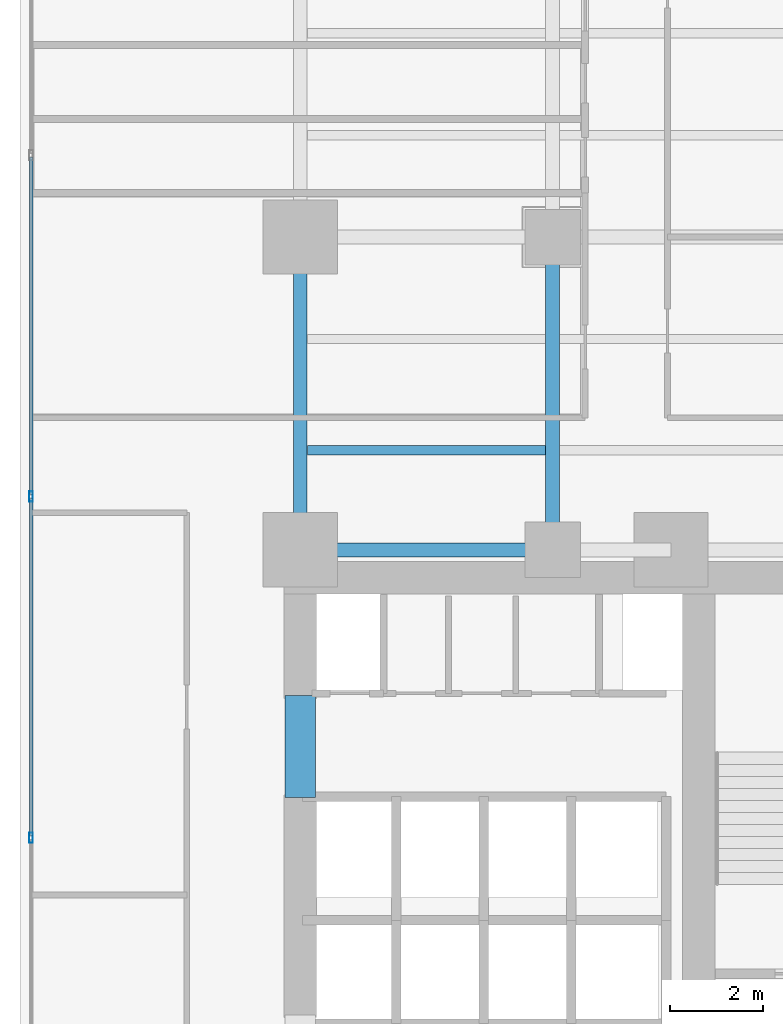
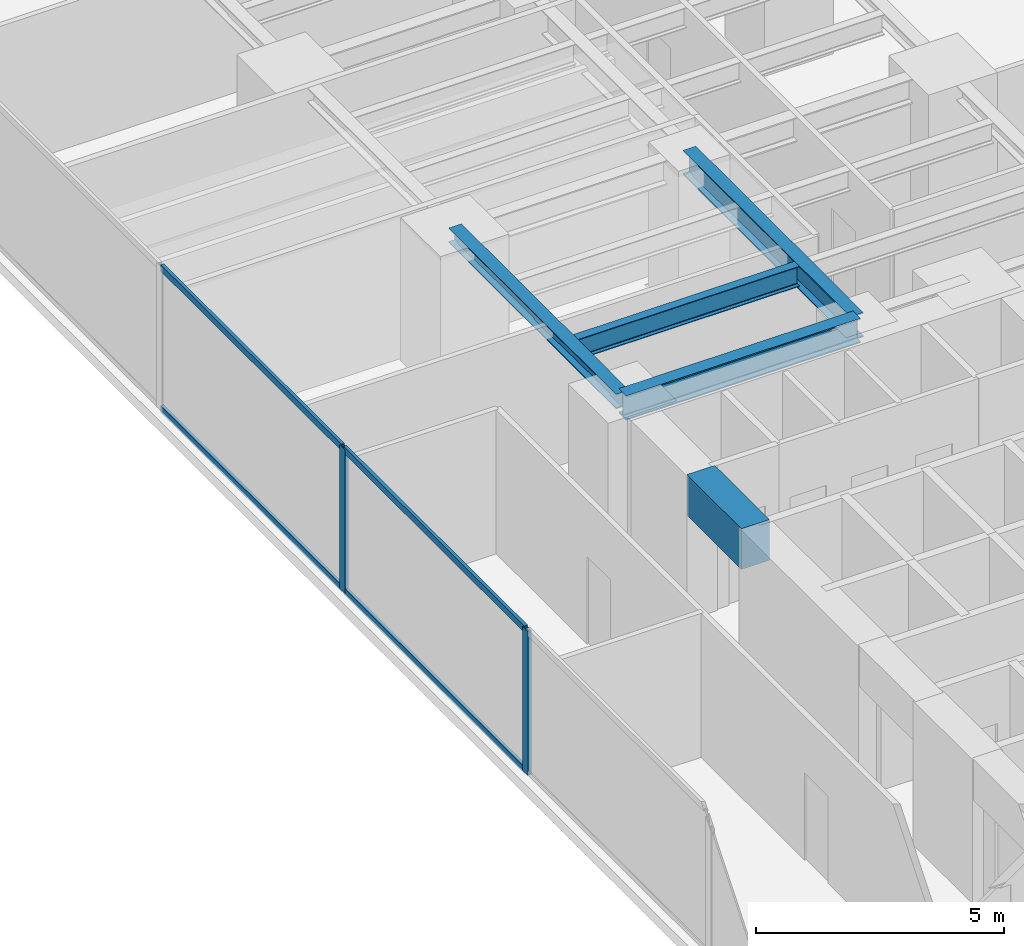
# One storey, part 6 of 26: 6 members, 5 beams, 1 element without a shape of its own.
"""IFC4 building model written with IfcOpenShell, lengths in metres."""

from ifc_helpers import new_model, si_unit, direction, frame, origin, origin_with_axes, origin_2d, place, context, subcontext, project, spatial, rectangle, hollow_rectangle, i_section, extrude, source, transform, mapped, material, layer, layer_set, material_profile, profile_set, type_object, element, aggregate, save


model = new_model("IFC4")

# Units and contexts
model_context = context("Model", 3, precision=1e-05, world=origin(), true_north=direction((0.0, 1.0)))
body_context = subcontext(model_context, "Body", "Model", "MODEL_VIEW")
ifc_project = project(units=[si_unit("LENGTHUNIT", "METRE"), si_unit("AREAUNIT", "SQUARE_METRE"), si_unit("VOLUMEUNIT", "CUBIC_METRE"), si_unit("PLANEANGLEUNIT", "RADIAN"), si_unit("MASSUNIT", "GRAM", prefix="KILO")], contexts=[model_context])

# Site, building, storey
site_placement = place(None, origin())
site = spatial("IfcSite", under=ifc_project, at=site_placement, CompositionType="ELEMENT")
building_placement = place(site_placement, origin())
building = spatial("IfcBuilding", under=site, at=building_placement, Name="Kolvaren Waterfront Exchange", CompositionType="ELEMENT")
storey_placement = place(building_placement, frame((0.0, 0.0, 44.800048828125)))
storey = spatial("IfcBuildingStorey", under=building, at=storey_placement, Name="L11", CompositionType="ELEMENT", Elevation=44.800048828125)

# Beams
ifc_material_1 = material(Name="Steel S355", Category="steel")
ifc_material_profile_1 = material_profile(ifc_material_1, i_section(OverallWidth=0.300048828125, OverallDepth=0.360107421875, WebThickness=0.012451171875, FlangeThickness=0.0224609375, FilletRadius=0.027099609375, at=origin_2d()), Name="HEB360")
ifc_profile_set_1 = profile_set([ifc_material_profile_1], Name="Steel S355")
beam_type_1 = type_object("IfcBeamType", Name="STR-BM-HEB360", PredefinedType="SPANDREL", material=ifc_profile_set_1)
beam_1_placement = place(storey_placement, frame((7.449951171875, 24.449951171875, 3.35986328125), z_axis=(0.0, 1.0, 0.0), x_axis=(-1.0, 0.0, 0.0)))
element("IfcBeam", 1, at=beam_1_placement, inside=storey, type_object=beam_type_1, Name="L11 north-arm edge beam 1", PredefinedType="SPANDREL", context=body_context, shape_type="SweptSolid", body=[
    extrude(i_section(OverallWidth=0.300048828125, OverallDepth=0.360107421875, WebThickness=0.012451171875, FlangeThickness=0.0224609375, FilletRadius=0.027099609375, at=origin_2d()), origin(), (0.0, 0.0, 1.0), 6.75),
])
ifc_material_profile_2 = material_profile(ifc_material_1, i_section(OverallWidth=0.300048828125, OverallDepth=0.60009765625, WebThickness=0.015380859375, FlangeThickness=0.030029296875, FilletRadius=0.027099609375, at=origin_2d()), Name="HEB600")
ifc_profile_set_2 = profile_set([ifc_material_profile_2], Name="Steel S355")
beam_type_2 = type_object("IfcBeamType", Name="STR-BM-HEB600", PredefinedType="BEAM", material=ifc_profile_set_2)
beam_2_placement = place(storey_placement, frame((7.449951171875, 24.449951171875, 3.239990234375), z_axis=(1.0, 0.0, 0.0), x_axis=(0.0, 1.0, 0.0)))
element("IfcBeam", 2, at=beam_2_placement, inside=storey, type_object=beam_type_2, Name="L11 north-arm girder 1A", PredefinedType="BEAM", context=body_context, shape_type="SweptSolid", body=[
    extrude(i_section(OverallWidth=0.300048828125, OverallDepth=0.60009765625, WebThickness=0.015380859375, FlangeThickness=0.030029296875, FilletRadius=0.027099609375, at=origin_2d()), origin(), (0.0, 0.0, 1.0), 5.449951171875),
])
beam_3_placement = place(storey_placement, frame((12.89990234375, 24.449951171875, 3.239990234375), z_axis=(0.0, 1.0, 0.0), x_axis=(-1.0, 0.0, 0.0)))
element("IfcBeam", 3, at=beam_3_placement, inside=storey, type_object=beam_type_2, Name="L11 north-arm edge beam 1", PredefinedType="BEAM", context=body_context, shape_type="SweptSolid", body=[
    extrude(i_section(OverallWidth=0.300048828125, OverallDepth=0.60009765625, WebThickness=0.015380859375, FlangeThickness=0.030029296875, FilletRadius=0.027099609375, at=origin_2d()), origin(), (0.0, 0.0, 1.0), 6.75),
])
ifc_material_profile_3 = material_profile(ifc_material_1, i_section(OverallWidth=0.199951171875, OverallDepth=0.5, WebThickness=0.01025390625, FlangeThickness=0.01611328125, FilletRadius=0.02099609375, at=origin_2d()), Name="IPE500")
ifc_profile_set_3 = profile_set([ifc_material_profile_3], Name="Steel S355")
beam_type_3 = type_object("IfcBeamType", Name="STR-BM-IPE500", PredefinedType="JOIST", material=ifc_profile_set_3)
beam_4_placement = place(storey_placement, frame((7.60205078125, 26.60009765625, 3.2900390625), z_axis=(1.0, 0.0, 0.0), x_axis=(0.0, 1.0, 0.0)))
element("IfcBeam", 4, at=beam_4_placement, inside=storey, type_object=beam_type_3, Name="L11 north-arm composite joist 1A", PredefinedType="JOIST", context=body_context, shape_type="SweptSolid", body=[
    extrude(i_section(OverallWidth=0.199951171875, OverallDepth=0.5, WebThickness=0.01025390625, FlangeThickness=0.01611328125, FilletRadius=0.02099609375, at=origin_2d()), origin(), (0.0, 0.0, 1.0), 5.14599609375),
])
ifc_material_2 = material(Name="Concrete C60/75", Category="concrete")
ifc_material_profile_4 = material_profile(ifc_material_2, rectangle(XDim=0.64990234375, YDim=1.0, at=origin_2d()), Name="RC-CB-1000x650")
ifc_profile_set_4 = profile_set([ifc_material_profile_4], Name="Concrete C60/75")
beam_type_4 = type_object("IfcBeamType", Name="STR-CB-1000", PredefinedType="SPANDREL", material=ifc_profile_set_4)
beam_5_placement = place(storey_placement, frame((7.449951171875, 19.10009765625, 3.0400390625), z_axis=(0.0, 1.0, 0.0), x_axis=(-1.0, 0.0, 0.0)))
element("IfcBeam", 5, at=beam_5_placement, inside=storey, type_object=beam_type_4, Name="L11 core coupling beam 5", PredefinedType="SPANDREL", context=body_context, shape_type="SweptSolid", body=[
    extrude(rectangle(XDim=0.64990234375, YDim=1.0, at=origin_2d()), origin(), (0.0, 0.0, 1.0), 2.199951171875),
])

# Curtain wall, members
ifc_material_3 = material(Name="Anodised aluminium 6063-T6", Category="aluminium")
ifc_layer = layer(ifc_material_3, 0.219970703125, Name="Anodised aluminium 6063-T6")
ifc_layer_set = layer_set([ifc_layer], Name="Anodised aluminium 6063-T6")
curtain_wall_type = type_object("IfcCurtainWallType", Name="ARC-CW-SYS2", PredefinedType="USERDEFINED", material=ifc_layer_set)
curtain_wall_placement = place(storey_placement, origin())
curtain_wall = element("IfcCurtainWall", 6, at=curtain_wall_placement, inside=storey, type_object=curtain_wall_type, Name="L11 stick curtain wall CW2 (CW-L11-W)", ObjectType="STICK CURTAIN WALL", PredefinedType="USERDEFINED")
ifc_material_profile_5 = material_profile(ifc_material_3, hollow_rectangle(XDim=0.074951171875, YDim=0.159912109375, WallThickness=0.00439453125, at=origin_2d()), Name="ALU-TRN-160x75x4.5")
ifc_profile_set_5 = profile_set([ifc_material_profile_5], Name="Anodised aluminium 6063-T6")
member_type_1 = type_object("IfcMemberType", Name="ARC-CWT-160", PredefinedType="USERDEFINED", material=ifc_profile_set_5)
shared_shape_1 = source(origin_with_axes(), body_context, "Body", "SweptSolid", [
    extrude(hollow_rectangle(XDim=0.074951171875, YDim=0.159912109375, WallThickness=0.00439453125, at=origin_2d()), origin(), (0.0, 0.0, 1.0), 7.28662109375),
])
member_1_placement = place(storey_placement, frame((1.639892578125, 18.2734375, 0.037353515625), z_axis=(0.0, 1.0, 0.0), x_axis=(-1.0, 0.0, 0.0)))
member_1 = element("IfcMember", 7, at=member_1_placement, type_object=member_type_1, Name="CW2 transom 3.1", ObjectType="TRANSOM", PredefinedType="USERDEFINED", context=body_context, shape_type="MappedRepresentation", body=[
    mapped(shared_shape_1, transform((0.0, 0.0, 0.0), x_axis=(1.0, 0.0, 0.0), y_axis=(0.0, 1.0, 0.0), z_axis=(0.0, 0.0, 1.0), scale=1.0)),
])
member_2_placement = place(storey_placement, frame((1.639892578125, 18.2734375, 3.50244140625), z_axis=(0.0, 1.0, 0.0), x_axis=(-1.0, 0.0, 0.0)))
member_2 = element("IfcMember", 8, at=member_2_placement, type_object=member_type_1, Name="CW2 transom 3.2", ObjectType="TRANSOM", PredefinedType="USERDEFINED", context=body_context, shape_type="MappedRepresentation", body=[
    mapped(shared_shape_1, transform((0.0, 0.0, 0.0), x_axis=(1.0, 0.0, 0.0), y_axis=(0.0, 1.0, 0.0), z_axis=(0.0, 0.0, 1.0), scale=1.0)),
])
shared_shape_2 = source(origin_with_axes(), body_context, "Body", "SweptSolid", [
    extrude(hollow_rectangle(XDim=0.074951171875, YDim=0.159912109375, WallThickness=0.00439453125, at=origin_2d()), origin(), (0.0, 0.0, 1.0), 7.286865234375),
])
member_3_placement = place(storey_placement, frame((1.639892578125, 25.639892578125, 0.037353515625), z_axis=(0.0, 1.0, 0.0), x_axis=(-1.0, 0.0, 0.0)))
member_3 = element("IfcMember", 9, at=member_3_placement, type_object=member_type_1, Name="CW2 transom 4.1", ObjectType="TRANSOM", PredefinedType="USERDEFINED", context=body_context, shape_type="MappedRepresentation", body=[
    mapped(shared_shape_2, transform((0.0, 0.0, 0.0), x_axis=(1.0, 0.0, 0.0), y_axis=(0.0, 1.0, 0.0), z_axis=(0.0, 0.0, 1.0), scale=1.0)),
])
member_4_placement = place(storey_placement, frame((1.639892578125, 25.639892578125, 3.50244140625), z_axis=(0.0, 1.0, 0.0), x_axis=(-1.0, 0.0, 0.0)))
member_4 = element("IfcMember", 10, at=member_4_placement, type_object=member_type_1, Name="CW2 transom 4.2", ObjectType="TRANSOM", PredefinedType="USERDEFINED", context=body_context, shape_type="MappedRepresentation", body=[
    mapped(shared_shape_2, transform((0.0, 0.0, 0.0), x_axis=(1.0, 0.0, 0.0), y_axis=(0.0, 1.0, 0.0), z_axis=(0.0, 0.0, 1.0), scale=1.0)),
])
ifc_material_profile_6 = material_profile(ifc_material_3, hollow_rectangle(XDim=0.080078125, YDim=0.219970703125, WallThickness=0.0048828125, at=origin_2d()), Name="ALU-MUL-220x80x5")
ifc_profile_set_6 = profile_set([ifc_material_profile_6], Name="Anodised aluminium 6063-T6")
member_type_2 = type_object("IfcMemberType", Name="ARC-CWM-220", PredefinedType="MULLION", material=ifc_profile_set_6)
shared_shape_3 = source(origin_with_axes(), body_context, "Body", "SweptSolid", [
    extrude(hollow_rectangle(XDim=0.080078125, YDim=0.219970703125, WallThickness=0.0048828125, at=origin_2d()), origin(), (0.0, 0.0, 1.0), 3.5400390625),
])
member_5_placement = place(storey_placement, frame((1.639892578125, 18.2333984375, 0.0), z_axis=(0.0, 0.0, 1.0), x_axis=(-1.0, 0.0, 0.0)))
member_5 = element("IfcMember", 11, at=member_5_placement, type_object=member_type_2, Name="CW2 mullion 3", PredefinedType="MULLION", context=body_context, shape_type="MappedRepresentation", body=[
    mapped(shared_shape_3, transform((0.0, 0.0, 0.0), x_axis=(1.0, 0.0, 0.0), y_axis=(0.0, 1.0, 0.0), z_axis=(0.0, 0.0, 1.0), scale=1.0)),
])
member_6_placement = place(storey_placement, frame((1.639892578125, 25.60009765625, 0.0), z_axis=(0.0, 0.0, 1.0), x_axis=(-1.0, 0.0, 0.0)))
member_6 = element("IfcMember", 12, at=member_6_placement, type_object=member_type_2, Name="CW2 mullion 4", PredefinedType="MULLION", context=body_context, shape_type="MappedRepresentation", body=[
    mapped(shared_shape_3, transform((0.0, 0.0, 0.0), x_axis=(1.0, 0.0, 0.0), y_axis=(0.0, 1.0, 0.0), z_axis=(0.0, 0.0, 1.0), scale=1.0)),
])
aggregate(curtain_wall, [member_5, member_6, member_1, member_2, member_3, member_4])

save(model, "model.ifc")
